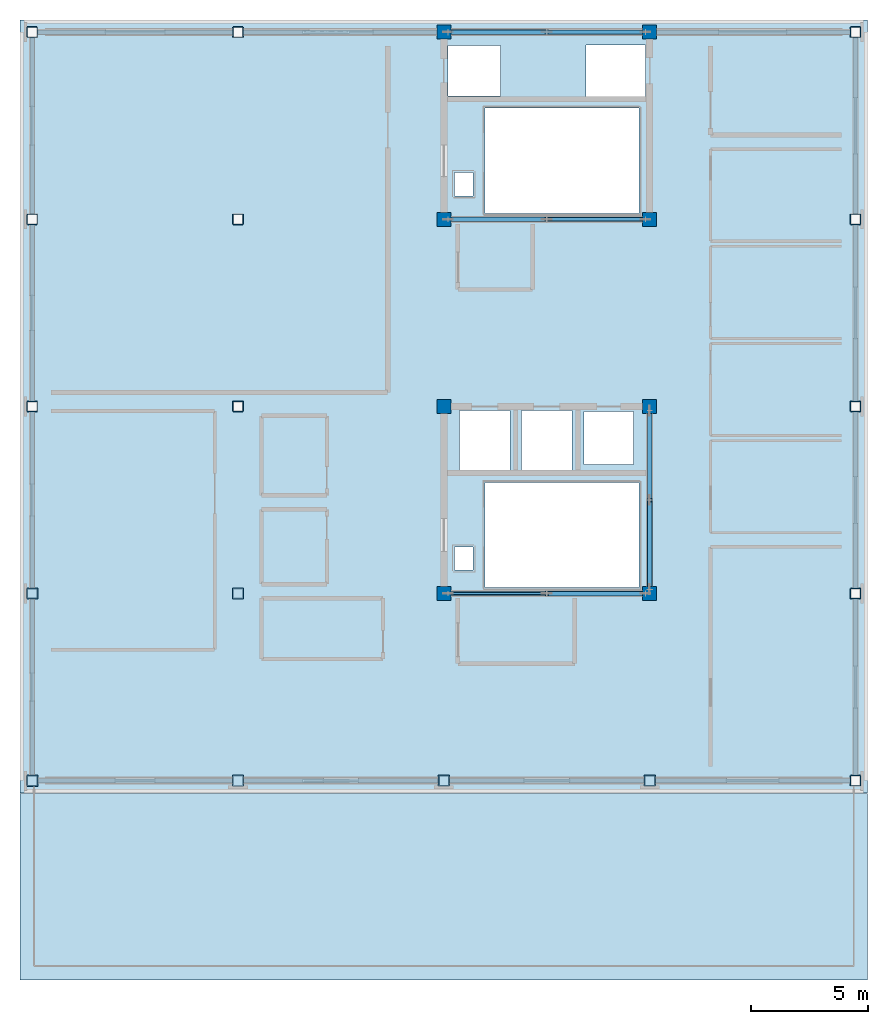
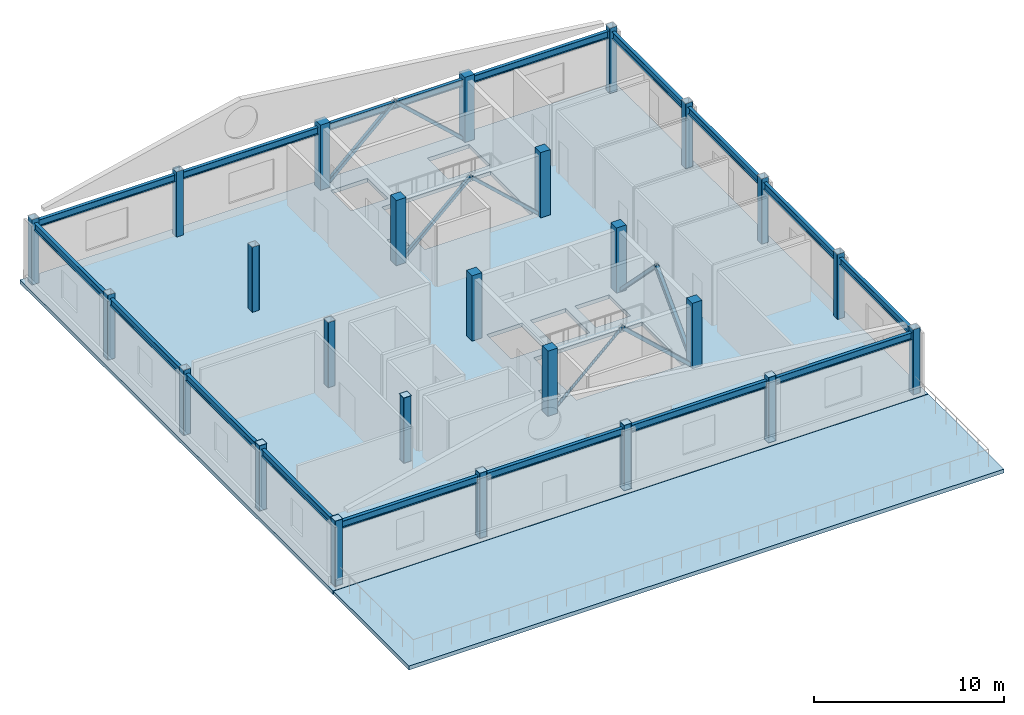
# One storey, part 1 of 10: 25 columns, 18 plates, 16 beams, 8 members, 2 slabs.
"""IFC4 building model written with IfcOpenShell, lengths in metres."""

from ifc_helpers import new_model, si_unit, direction, frame, origin, origin_2d, place, context, subcontext, project, spatial, polyline, rectangle, hollow_rectangle, hollow_circle, i_section, outline, extrude, material, layer, layer_set, material_profile, profile_set, type_object, element, save


model = new_model("IFC4")

# Units and contexts
model_context = context("Model", 3, precision=1e-05, world=origin(), true_north=direction((0.0, 1.0)))
body_context = subcontext(model_context, "Body", "Model", "MODEL_VIEW")
ifc_project = project(units=[si_unit("LENGTHUNIT", "METRE"), si_unit("AREAUNIT", "SQUARE_METRE"), si_unit("VOLUMEUNIT", "CUBIC_METRE"), si_unit("PLANEANGLEUNIT", "RADIAN"), si_unit("MASSUNIT", "GRAM", prefix="KILO")], contexts=[model_context])

# Site, building, storey
site_placement = place(None, origin())
site = spatial("IfcSite", under=ifc_project, at=site_placement, CompositionType="ELEMENT")
building_placement = place(site_placement, origin())
building = spatial("IfcBuilding", under=site, at=building_placement, Name="Zhaolan Boulevard Law Courts", CompositionType="ELEMENT")
storey_placement = place(building_placement, frame((0.0, 0.0, 41.39990234375)))
storey = spatial("IfcBuildingStorey", under=building, at=storey_placement, Name="L09", CompositionType="ELEMENT", Elevation=41.39990234375)

# Columns
ifc_material_1 = material(Name="Structural steel Q355B", Category="steel")
ifc_material_profile_1 = material_profile(ifc_material_1, hollow_rectangle(XDim=0.449951171875, YDim=0.449951171875, WallThickness=0.01806640625, InnerFilletRadius=0.01806640625, OuterFilletRadius=0.035888671875, at=origin_2d()), Name="BOX450x450x18")
ifc_profile_set_1 = profile_set([ifc_material_profile_1], Name="Structural steel Q355B")
column_type_1 = type_object("IfcColumnType", Name="COL BOX450", PredefinedType="COLUMN", material=ifc_profile_set_1)
for number, where, z_axis, x_axis, name in (
    (1, (0.0, 38.0, 0.0), (0.0, 0.0, 1.0), (1.0, 0.0, 0.0), "Column C-1F (L09)"),
    (2, (0.0, 46.0, 0.0), (0.0, 0.0, 1.0), (1.0, 0.0, 0.0), "Column C-1G (L09)"),
    (3, (0.0, 54.0, 0.0), (0.0, 0.0, 1.0), (1.0, 0.0, 0.0), "Column C-1H (L09)"),
    (4, (0.0, 62.0, 0.0), (0.0, 0.0, 1.0), (1.0, 0.0, 0.0), "Column C-1J (L09)"),
    (5, (0.0, 70.0, 0.0), (0.0, 0.0, 1.0), (1.0, 0.0, 0.0), "Column C-1K (L09)"),
    (6, (8.800048828125, 38.0, 0.0), (0.0, 0.0, 1.0), (1.0, 0.0, 0.0), "Column C-2F (L09)"),
    (7, (8.800048828125, 46.0, 0.0), (0.0, 0.0, 1.0), (1.0, 0.0, 0.0), "Column C-2G (L09)"),
    (8, (8.800048828125, 54.0, 0.0), (0.0, 0.0, 1.0), (1.0, 0.0, 0.0), "Column C-2H (L09)"),
    (9, (8.800048828125, 62.0, 0.0), (0.0, 0.0, 1.0), (1.0, 0.0, 0.0), "Column C-2J (L09)"),
    (10, (8.800048828125, 70.0, 0.0), (0.0, 0.0, 1.0), (1.0, 0.0, 0.0), "Column C-2K (L09)"),
    (11, (17.60009765625, 38.0, 0.0), (0.0, 0.0, 1.0), (1.0, 0.0, 0.0), "Column C-3F (L09)"),
    (12, (26.39990234375, 38.0, 0.0), (0.0, 0.0, 1.0), (1.0, 0.0, 0.0), "Column C-4F (L09)"),
    (13, (35.199951171875, 38.0, 0.0), (0.0, 0.0, 1.0), (1.0, 0.0, 0.0), "Column C-5F (L09)"),
    (14, (35.199951171875, 46.0, 0.0), (0.0, 0.0, 1.0), (1.0, 0.0, 0.0), "Column C-5G (L09)"),
    (15, (35.199951171875, 54.0, 0.0), (0.0, 0.0, 1.0), (1.0, 0.0, 0.0), "Column C-5H (L09)"),
    (16, (35.199951171875, 62.0, 0.0), (0.0, 0.0, 1.0), (1.0, 0.0, 0.0), "Column C-5J (L09)"),
    (17, (35.199951171875, 70.0, 0.0), (0.0, 0.0, 1.0), (1.0, 0.0, 0.0), "Column C-5K (L09)"),
):
    element("IfcColumn", number, at=place(storey_placement, frame(where, z_axis=z_axis, x_axis=x_axis)), inside=storey, type_object=column_type_1, Name=name, PredefinedType="COLUMN", context=body_context, shape_type="SweptSolid", body=[
        extrude(hollow_rectangle(XDim=0.449951171875, YDim=0.449951171875, WallThickness=0.01806640625, InnerFilletRadius=0.01806640625, OuterFilletRadius=0.035888671875, at=origin_2d()), origin(), (0.0, 0.0, 1.0), 4.2001953125),
    ])
ifc_material_2 = material(Name="Concrete C50", Category="concrete")
ifc_material_profile_2 = material_profile(ifc_material_2, rectangle(XDim=0.60009765625, YDim=0.60009765625, at=origin_2d()), Name="RC600x600")
ifc_profile_set_2 = profile_set([ifc_material_profile_2], Name="Concrete C50")
column_type_2 = type_object("IfcColumnType", Name="COL RC600", PredefinedType="COLUMN", material=ifc_profile_set_2)
for number, where, z_axis, x_axis, name in (
    (18, (17.60009765625, 46.0, 0.0), (0.0, 0.0, 1.0), (1.0, 0.0, 0.0), "Column C-3G (L09)"),
    (19, (17.60009765625, 54.0, 0.0), (0.0, 0.0, 1.0), (1.0, 0.0, 0.0), "Column C-3H (L09)"),
    (20, (17.60009765625, 62.0, 0.0), (0.0, 0.0, 1.0), (1.0, 0.0, 0.0), "Column C-3J (L09)"),
    (21, (17.60009765625, 70.0, 0.0), (0.0, 0.0, 1.0), (1.0, 0.0, 0.0), "Column C-3K (L09)"),
    (22, (26.39990234375, 46.0, 0.0), (0.0, 0.0, 1.0), (1.0, 0.0, 0.0), "Column C-4G (L09)"),
    (23, (26.39990234375, 54.0, 0.0), (0.0, 0.0, 1.0), (1.0, 0.0, 0.0), "Column C-4H (L09)"),
    (24, (26.39990234375, 62.0, 0.0), (0.0, 0.0, 1.0), (1.0, 0.0, 0.0), "Column C-4J (L09)"),
    (25, (26.39990234375, 70.0, 0.0), (0.0, 0.0, 1.0), (1.0, 0.0, 0.0), "Column C-4K (L09)"),
):
    element("IfcColumn", number, at=place(storey_placement, frame(where, z_axis=z_axis, x_axis=x_axis)), inside=storey, type_object=column_type_2, Name=name, PredefinedType="COLUMN", context=body_context, shape_type="SweptSolid", body=[
        extrude(rectangle(XDim=0.60009765625, YDim=0.60009765625, at=origin_2d()), origin(), (0.0, 0.0, 1.0), 4.2001953125),
    ])

# Members
ifc_material_3 = material(Name="Structural steel Q355B", Category="steel")
ifc_material_profile_3 = material_profile(ifc_material_3, hollow_rectangle(XDim=0.179931640625, YDim=0.179931640625, WallThickness=0.008056640625, InnerFilletRadius=0.008056640625, OuterFilletRadius=0.01611328125, at=origin_2d()), Name="HSS180x180x8")
ifc_profile_set_3 = profile_set([ifc_material_profile_3], Name="Structural steel Q355B")
member_type_1 = type_object("IfcMemberType", Name="BRACE HSS180", PredefinedType="BRACE", material=ifc_profile_set_3)
member_1_placement = place(storey_placement, frame((26.219970703125, 62.0, 0.030029296875), z_axis=(-0.73525664892, 0.0, 0.677788802076), x_axis=(0.0, -1.0, 0.0)))
element("IfcMember", 26, at=member_1_placement, inside=storey, type_object=member_type_1, Name="Core Brace BR-W2-L09-S2", PredefinedType="BRACE", context=body_context, shape_type="SweptSolid", body=[
    extrude(hollow_rectangle(XDim=0.179931640625, YDim=0.179931640625, WallThickness=0.008056640625, InnerFilletRadius=0.008056640625, OuterFilletRadius=0.01611328125, at=origin_2d()), origin(), (0.0, 0.0, 1.0), 5.739501953125),
])
ifc_material_4 = material(Name="Structural steel Q355B", Category="steel")
ifc_material_profile_4 = material_profile(ifc_material_4, hollow_rectangle(XDim=0.199951171875, YDim=0.199951171875, WallThickness=0.010009765625, InnerFilletRadius=0.010009765625, OuterFilletRadius=0.02001953125, at=origin_2d()), Name="HSS200x200x10")
ifc_profile_set_4 = profile_set([ifc_material_profile_4], Name="Structural steel Q355B")
member_type_2 = type_object("IfcMemberType", Name="BRACE HSS200", PredefinedType="BRACE", material=ifc_profile_set_4)
member_2_placement = place(storey_placement, frame((26.39990234375, 53.820068359375, 0.030029296875), z_axis=(0.0, -0.700651844954, 0.713503323161), x_axis=(1.0, 0.0, 0.0)))
element("IfcMember", 27, at=member_2_placement, inside=storey, type_object=member_type_2, Name="Core Brace BR-W1-L09-E2", PredefinedType="BRACE", context=body_context, shape_type="SweptSolid", body=[
    extrude(hollow_rectangle(XDim=0.199951171875, YDim=0.199951171875, WallThickness=0.010009765625, InnerFilletRadius=0.010009765625, OuterFilletRadius=0.02001953125, at=origin_2d()), origin(), (0.0, 0.0, 1.0), 5.4521484375),
])
for number, where, z_axis, x_axis, name in (
    (28, (26.219970703125, 70.0, 0.030029296875), (-0.73525664892, 0.0, 0.677788802076), (0.0, -1.0, 0.0), "Core Brace BR-W2-L09-N2"),
    (29, (17.780029296875, 62.0, 0.030029296875), (0.73525664892, 0.0, 0.677788802076), (0.0, 1.0, 0.0), "Core Brace BR-W2-L09-S1"),
):
    element("IfcMember", number, at=place(storey_placement, frame(where, z_axis=z_axis, x_axis=x_axis)), inside=storey, type_object=member_type_2, Name=name, PredefinedType="BRACE", context=body_context, shape_type="SweptSolid", body=[
        extrude(hollow_rectangle(XDim=0.199951171875, YDim=0.199951171875, WallThickness=0.010009765625, InnerFilletRadius=0.010009765625, OuterFilletRadius=0.02001953125, at=origin_2d()), origin(), (0.0, 0.0, 1.0), 5.739501953125),
    ])
ifc_material_5 = material(Name="Structural steel Q355B", Category="steel")
ifc_material_profile_5 = material_profile(ifc_material_5, hollow_rectangle(XDim=0.219970703125, YDim=0.219970703125, WallThickness=0.010009765625, InnerFilletRadius=0.010009765625, OuterFilletRadius=0.02001953125, at=origin_2d()), Name="HSS220x220x10")
ifc_profile_set_5 = profile_set([ifc_material_profile_5], Name="Structural steel Q355B")
member_type_3 = type_object("IfcMemberType", Name="BRACE HSS220", PredefinedType="BRACE", material=ifc_profile_set_5)
member_3_placement = place(storey_placement, frame((26.219970703125, 46.0, 0.030029296875), z_axis=(-0.73525664892, 0.0, 0.677788802076), x_axis=(0.0, -1.0, 0.0)))
element("IfcMember", 30, at=member_3_placement, inside=storey, type_object=member_type_3, Name="Core Brace BR-W1-L09-S2", PredefinedType="BRACE", context=body_context, shape_type="SweptSolid", body=[
    extrude(hollow_rectangle(XDim=0.219970703125, YDim=0.219970703125, WallThickness=0.010009765625, InnerFilletRadius=0.010009765625, OuterFilletRadius=0.02001953125, at=origin_2d()), origin(), (0.0, 0.0, 1.0), 5.739501953125),
])
member_4_placement = place(storey_placement, frame((26.39990234375, 46.179931640625, 0.030029296875), z_axis=(0.0, 0.700651844954, 0.713503323161), x_axis=(-1.0, 0.0, 0.0)))
element("IfcMember", 31, at=member_4_placement, inside=storey, type_object=member_type_3, Name="Core Brace BR-W1-L09-E1", PredefinedType="BRACE", context=body_context, shape_type="SweptSolid", body=[
    extrude(hollow_rectangle(XDim=0.219970703125, YDim=0.219970703125, WallThickness=0.010009765625, InnerFilletRadius=0.010009765625, OuterFilletRadius=0.02001953125, at=origin_2d()), origin(), (0.0, 0.0, 1.0), 5.4521484375),
])
member_5_placement = place(storey_placement, frame((17.780029296875, 70.0, 0.030029296875), z_axis=(0.73525664892, 0.0, 0.677788802076), x_axis=(0.0, 1.0, 0.0)))
element("IfcMember", 32, at=member_5_placement, inside=storey, type_object=member_type_3, Name="Core Brace BR-W2-L09-N1", PredefinedType="BRACE", context=body_context, shape_type="SweptSolid", body=[
    extrude(hollow_rectangle(XDim=0.219970703125, YDim=0.219970703125, WallThickness=0.010009765625, InnerFilletRadius=0.010009765625, OuterFilletRadius=0.02001953125, at=origin_2d()), origin(), (0.0, 0.0, 1.0), 5.739501953125),
])

# Beams
ifc_material_6 = material(Name="Structural steel Q355B", Category="steel")
ifc_material_profile_6 = material_profile(ifc_material_6, i_section(OverallWidth=0.199951171875, OverallDepth=0.449951171875, WebThickness=0.009033203125, FlangeThickness=0.013916015625, FilletRadius=0.01611328125, at=origin_2d()), Name="HN450x200")
ifc_profile_set_6 = profile_set([ifc_material_profile_6], Name="Structural steel Q355B")
beam_type = type_object("IfcBeamType", Name="GIRDER HN450", PredefinedType="BEAM", material=ifc_profile_set_6)
beam_1_placement = place(storey_placement, frame((0.220947265625, 38.0, 3.713134765625), z_axis=(1.0, 0.0, 0.0), x_axis=(0.0, 1.0, 0.0)))
element("IfcBeam", 33, at=beam_1_placement, inside=storey, type_object=beam_type, Name="Beam BX-RF-1-2-F", PredefinedType="BEAM", context=body_context, shape_type="SweptSolid", body=[
    extrude(i_section(OverallWidth=0.199951171875, OverallDepth=0.449951171875, WebThickness=0.009033203125, FlangeThickness=0.013916015625, FilletRadius=0.01611328125, at=origin_2d()), origin(), (0.0, 0.0, 1.0), 8.358154296875),
])
for number, where, z_axis, x_axis, name in (
    (34, (9.02099609375, 38.0, 3.713134765625), (1.0, 0.0, 0.0), (0.0, 1.0, 0.0), "Beam BX-RF-2-3-F"),
    (35, (17.821044921875, 38.0, 3.713134765625), (1.0, 0.0, 0.0), (0.0, 1.0, 0.0), "Beam BX-RF-3-4-F"),
    (36, (26.62109375, 38.0, 3.713134765625), (1.0, 0.0, 0.0), (0.0, 1.0, 0.0), "Beam BX-RF-4-5-F"),
):
    element("IfcBeam", number, at=place(storey_placement, frame(where, z_axis=z_axis, x_axis=x_axis)), inside=storey, type_object=beam_type, Name=name, PredefinedType="BEAM", context=body_context, shape_type="SweptSolid", body=[
        extrude(i_section(OverallWidth=0.199951171875, OverallDepth=0.449951171875, WebThickness=0.009033203125, FlangeThickness=0.013916015625, FilletRadius=0.01611328125, at=origin_2d()), origin(), (0.0, 0.0, 1.0), 8.35791015625),
    ])
beam_2_placement = place(storey_placement, frame((0.220947265625, 70.0, 3.713134765625), z_axis=(1.0, 0.0, 0.0), x_axis=(0.0, 1.0, 0.0)))
element("IfcBeam", 37, at=beam_2_placement, inside=storey, type_object=beam_type, Name="Beam BX-RF-1-2-K", PredefinedType="BEAM", context=body_context, shape_type="SweptSolid", body=[
    extrude(i_section(OverallWidth=0.199951171875, OverallDepth=0.449951171875, WebThickness=0.009033203125, FlangeThickness=0.013916015625, FilletRadius=0.01611328125, at=origin_2d()), origin(), (0.0, 0.0, 1.0), 8.358154296875),
])
beam_3_placement = place(storey_placement, frame((9.02099609375, 70.0, 3.713134765625), z_axis=(1.0, 0.0, 0.0), x_axis=(0.0, 1.0, 0.0)))
element("IfcBeam", 38, at=beam_3_placement, inside=storey, type_object=beam_type, Name="Beam BX-RF-2-3-K", PredefinedType="BEAM", context=body_context, shape_type="SweptSolid", body=[
    extrude(i_section(OverallWidth=0.199951171875, OverallDepth=0.449951171875, WebThickness=0.009033203125, FlangeThickness=0.013916015625, FilletRadius=0.01611328125, at=origin_2d()), origin(), (0.0, 0.0, 1.0), 8.282958984375),
])
beam_4_placement = place(storey_placement, frame((17.89599609375, 70.0, 3.713134765625), z_axis=(1.0, 0.0, 0.0), x_axis=(0.0, 1.0, 0.0)))
element("IfcBeam", 39, at=beam_4_placement, inside=storey, type_object=beam_type, Name="Beam BX-RF-3-4-K", PredefinedType="BEAM", context=body_context, shape_type="SweptSolid", body=[
    extrude(i_section(OverallWidth=0.199951171875, OverallDepth=0.449951171875, WebThickness=0.009033203125, FlangeThickness=0.013916015625, FilletRadius=0.01611328125, at=origin_2d()), origin(), (0.0, 0.0, 1.0), 8.2080078125),
])
beam_5_placement = place(storey_placement, frame((26.696044921875, 70.0, 3.713134765625), z_axis=(1.0, 0.0, 0.0), x_axis=(0.0, 1.0, 0.0)))
element("IfcBeam", 40, at=beam_5_placement, inside=storey, type_object=beam_type, Name="Beam BX-RF-4-5-K", PredefinedType="BEAM", context=body_context, shape_type="SweptSolid", body=[
    extrude(i_section(OverallWidth=0.199951171875, OverallDepth=0.449951171875, WebThickness=0.009033203125, FlangeThickness=0.013916015625, FilletRadius=0.01611328125, at=origin_2d()), origin(), (0.0, 0.0, 1.0), 8.282958984375),
])
for number, where, z_axis, x_axis, name in (
    (41, (0.0, 38.220947265625, 3.713134765625), (0.0, 1.0, 0.0), (-1.0, 0.0, 0.0), "Beam BY-RF-1-F-G"),
    (42, (0.0, 46.220947265625, 3.713134765625), (0.0, 1.0, 0.0), (-1.0, 0.0, 0.0), "Beam BY-RF-1-G-H"),
    (43, (0.0, 54.220947265625, 3.713134765625), (0.0, 1.0, 0.0), (-1.0, 0.0, 0.0), "Beam BY-RF-1-H-J"),
    (44, (0.0, 62.220947265625, 3.713134765625), (0.0, 1.0, 0.0), (-1.0, 0.0, 0.0), "Beam BY-RF-1-J-K"),
    (45, (35.199951171875, 38.220947265625, 3.713134765625), (0.0, 1.0, 0.0), (-1.0, 0.0, 0.0), "Beam BY-RF-5-F-G"),
    (46, (35.199951171875, 46.220947265625, 3.713134765625), (0.0, 1.0, 0.0), (-1.0, 0.0, 0.0), "Beam BY-RF-5-G-H"),
    (47, (35.199951171875, 54.220947265625, 3.713134765625), (0.0, 1.0, 0.0), (-1.0, 0.0, 0.0), "Beam BY-RF-5-H-J"),
    (48, (35.199951171875, 62.220947265625, 3.713134765625), (0.0, 1.0, 0.0), (-1.0, 0.0, 0.0), "Beam BY-RF-5-J-K"),
):
    element("IfcBeam", number, at=place(storey_placement, frame(where, z_axis=z_axis, x_axis=x_axis)), inside=storey, type_object=beam_type, Name=name, PredefinedType="BEAM", context=body_context, shape_type="SweptSolid", body=[
        extrude(i_section(OverallWidth=0.199951171875, OverallDepth=0.449951171875, WebThickness=0.009033203125, FlangeThickness=0.013916015625, FilletRadius=0.01611328125, at=origin_2d()), origin(), (0.0, 0.0, 1.0), 7.55810546875),
    ])

# Member
ifc_material_7 = material(Name="Structural steel Q355B", Category="steel")
ifc_material_profile_7 = material_profile(ifc_material_7, hollow_circle(Radius=0.083984375, WallThickness=0.008056640625, at=origin_2d()), Name="CHS168x8")
ifc_profile_set_7 = profile_set([ifc_material_profile_7], Name="Structural steel Q355B")
member_type_4 = type_object("IfcMemberType", Name="STRUT CHS168", PredefinedType="BRACE", material=ifc_profile_set_7)
member_6_placement = place(storey_placement, frame((17.780029296875, 46.0, 0.030029296875), z_axis=(0.73525664892, 0.0, 0.677788802076), x_axis=(0.0, 1.0, 0.0)))
element("IfcMember", 49, at=member_6_placement, inside=storey, type_object=member_type_4, Name="Core Brace BR-W1-L09-S1", PredefinedType="BRACE", context=body_context, shape_type="SweptSolid", body=[
    extrude(hollow_circle(Radius=0.083984375, WallThickness=0.008056640625, at=origin_2d()), origin(), (0.0, 0.0, 1.0), 5.739501953125),
])

# Plates
ifc_material_8 = material(Name="Structural steel Q355B", Category="steel")
ifc_layer_1 = layer(ifc_material_8, 0.02001953125)
ifc_layer_set_1 = layer_set([ifc_layer_1])
plate_type = type_object("IfcPlateType", Name="END CAP PLATE 20", PredefinedType="SHEET", material=ifc_layer_set_1)
for number, where, z_axis, x_axis, name in (
    (50, (0.0, 38.0, 4.18017578125), (0.0, 0.0, 1.0), (1.0, 0.0, 0.0), "Hollow Column Top End-Cap Plate ECP-1F"),
    (51, (0.0, 46.0, 4.18017578125), (0.0, 0.0, 1.0), (1.0, 0.0, 0.0), "Hollow Column Top End-Cap Plate ECP-1G"),
    (52, (8.800048828125, 38.0, 4.18017578125), (0.0, 0.0, 1.0), (1.0, 0.0, 0.0), "Hollow Column Top End-Cap Plate ECP-2F"),
    (53, (8.800048828125, 46.0, 4.18017578125), (0.0, 0.0, 1.0), (1.0, 0.0, 0.0), "Hollow Column Top End-Cap Plate ECP-2G"),
    (54, (17.60009765625, 38.0, 4.18017578125), (0.0, 0.0, 1.0), (1.0, 0.0, 0.0), "Hollow Column Top End-Cap Plate ECP-3F"),
    (55, (26.39990234375, 38.0, 4.18017578125), (0.0, 0.0, 1.0), (1.0, 0.0, 0.0), "Hollow Column Top End-Cap Plate ECP-4F"),
):
    element("IfcPlate", number, at=place(storey_placement, frame(where, z_axis=z_axis, x_axis=x_axis)), inside=storey, type_object=plate_type, Name=name, PredefinedType="SHEET", context=body_context, shape_type="SweptSolid", body=[
        extrude(rectangle(XDim=0.449951171875, YDim=0.449951171875, at=origin_2d()), origin(), (0.0, 0.0, 1.0), 0.02001953125),
    ])
for number, where, z_axis, x_axis, name in (
    (56, (0.0, 38.0, -0.017822265625), (0.0, 0.0, 1.0), (1.0, 0.0, 0.0), "Hollow Section End-Cap Plate ECP-0041"),
    (57, (0.0, 38.0, 4.197998046875), (0.0, 0.0, 1.0), (1.0, 0.0, 0.0), "Hollow Section End-Cap Plate ECP-0042"),
    (58, (0.0, 46.0, -0.017822265625), (0.0, 0.0, 1.0), (1.0, 0.0, 0.0), "Hollow Section End-Cap Plate ECP-0063"),
    (59, (0.0, 46.0, 4.197998046875), (0.0, 0.0, 1.0), (1.0, 0.0, 0.0), "Hollow Section End-Cap Plate ECP-0064"),
    (60, (8.800048828125, 38.0, -0.017822265625), (0.0, 0.0, 1.0), (1.0, 0.0, 0.0), "Hollow Section End-Cap Plate ECP-0175"),
    (61, (8.800048828125, 38.0, 4.197998046875), (0.0, 0.0, 1.0), (1.0, 0.0, 0.0), "Hollow Section End-Cap Plate ECP-0176"),
    (62, (8.800048828125, 46.0, -0.017822265625), (0.0, 0.0, 1.0), (1.0, 0.0, 0.0), "Hollow Section End-Cap Plate ECP-0197"),
    (63, (8.800048828125, 46.0, 4.197998046875), (0.0, 0.0, 1.0), (1.0, 0.0, 0.0), "Hollow Section End-Cap Plate ECP-0198"),
    (64, (17.60009765625, 38.0, -0.017822265625), (0.0, 0.0, 1.0), (1.0, 0.0, 0.0), "Hollow Section End-Cap Plate ECP-0309"),
    (65, (17.60009765625, 38.0, 4.197998046875), (0.0, 0.0, 1.0), (1.0, 0.0, 0.0), "Hollow Section End-Cap Plate ECP-0310"),
    (66, (26.39990234375, 38.0, -0.017822265625), (0.0, 0.0, 1.0), (1.0, 0.0, 0.0), "Hollow Section End-Cap Plate ECP-0355"),
    (67, (26.39990234375, 38.0, 4.197998046875), (0.0, 0.0, 1.0), (1.0, 0.0, 0.0), "Hollow Section End-Cap Plate ECP-0356"),
):
    element("IfcPlate", number, at=place(storey_placement, frame(where, z_axis=z_axis, x_axis=x_axis)), inside=storey, type_object=plate_type, Name=name, PredefinedType="SHEET", context=body_context, shape_type="SweptSolid", body=[
        extrude(rectangle(XDim=0.47998046875, YDim=0.47998046875, at=origin_2d()), origin(), (0.0, 0.0, 1.0), 0.02001953125),
    ])

# Slabs
ifc_material_9 = material(Name="Concrete C40", Category="concrete")
ifc_layer_2 = layer(ifc_material_9, 0.25)
ifc_layer_set_2 = layer_set([ifc_layer_2])
slab_type_1 = type_object("IfcSlabType", Name="FLOOR SLAB 250", PredefinedType="FLOOR", material=ifc_layer_set_2)
slab_1_placement = place(storey_placement, frame((0.0, 0.0, -0.25)))
element("IfcSlab", 68, at=slab_1_placement, inside=storey, type_object=slab_type_1, Name="Slab SLB-L09-V5", PredefinedType="FLOOR", context=body_context, shape_type="SweptSolid", body=[
    extrude(outline(polyline([(-0.52001953125, 37.47998046875), (35.719970703125, 37.47998046875), (35.719970703125, 70.52001953125), (-0.52001953125, 70.52001953125), (-0.52001953125, 37.47998046875)]), holes=[polyline([(18.27490234375, 51.27490234375), (20.425048828125, 51.27490234375), (20.425048828125, 53.824951171875), (18.27490234375, 53.824951171875), (18.27490234375, 51.27490234375)]), polyline([(20.925048828125, 51.27490234375), (23.074951171875, 51.27490234375), (23.074951171875, 53.824951171875), (20.925048828125, 53.824951171875), (20.925048828125, 51.27490234375)]), polyline([(23.675048828125, 67.25), (26.22509765625, 67.25), (26.22509765625, 69.449951171875), (23.675048828125, 69.449951171875), (23.675048828125, 67.25)]), polyline([(23.60009765625, 51.52490234375), (25.699951171875, 51.52490234375), (25.699951171875, 53.77490234375), (23.60009765625, 53.77490234375), (23.60009765625, 51.52490234375)]), polyline([(17.77490234375, 67.27490234375), (20.02490234375, 67.27490234375), (20.02490234375, 69.425048828125), (17.77490234375, 69.425048828125), (17.77490234375, 67.27490234375)]), polyline([(19.35009765625, 46.25), (25.949951171875, 46.25), (25.949951171875, 50.75), (19.35009765625, 50.75), (19.35009765625, 46.25)]), polyline([(19.35009765625, 62.25), (25.949951171875, 62.25), (25.949951171875, 66.75), (19.35009765625, 66.75), (19.35009765625, 62.25)]), polyline([(18.050048828125, 47.0), (18.85009765625, 47.0), (18.85009765625, 48.0), (18.050048828125, 48.0), (18.050048828125, 47.0)]), polyline([(18.050048828125, 63.0), (18.85009765625, 63.0), (18.85009765625, 64.0), (18.050048828125, 64.0), (18.050048828125, 63.0)])]), origin(), (0.0, 0.0, 1.0), 0.25),
])
ifc_material_10 = material(Name="Concrete C40", Category="concrete")
ifc_layer_3 = layer(ifc_material_10, 0.25)
ifc_layer_set_3 = layer_set([ifc_layer_3])
slab_type_2 = type_object("IfcSlabType", Name="TERRACE SLAB 250", PredefinedType="FLOOR", material=ifc_layer_set_3)
slab_2_placement = place(storey_placement, frame((0.0, 0.0, -0.25)))
element("IfcSlab", 69, at=slab_2_placement, inside=storey, type_object=slab_type_2, Name="Slab SLB-L09-TER", PredefinedType="FLOOR", context=body_context, shape_type="SweptSolid", body=[
    extrude(outline(polyline([(-0.52001953125, 29.47998046875), (35.719970703125, 29.47998046875), (35.719970703125, 37.449951171875), (-0.52001953125, 37.449951171875), (-0.52001953125, 29.47998046875)])), origin(), (0.0, 0.0, 1.0), 0.25),
])

save(model, "model.ifc")
